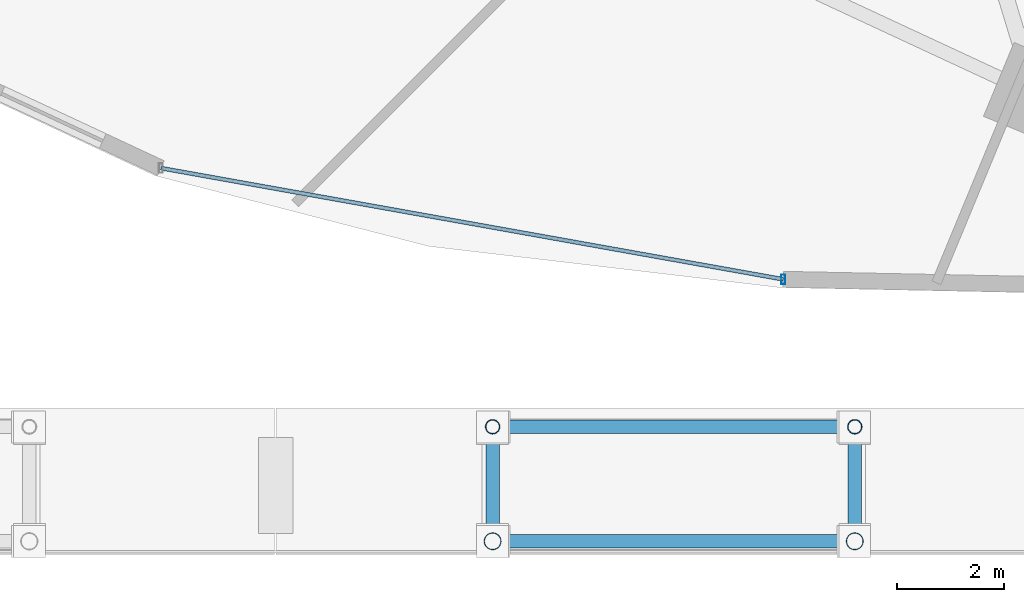
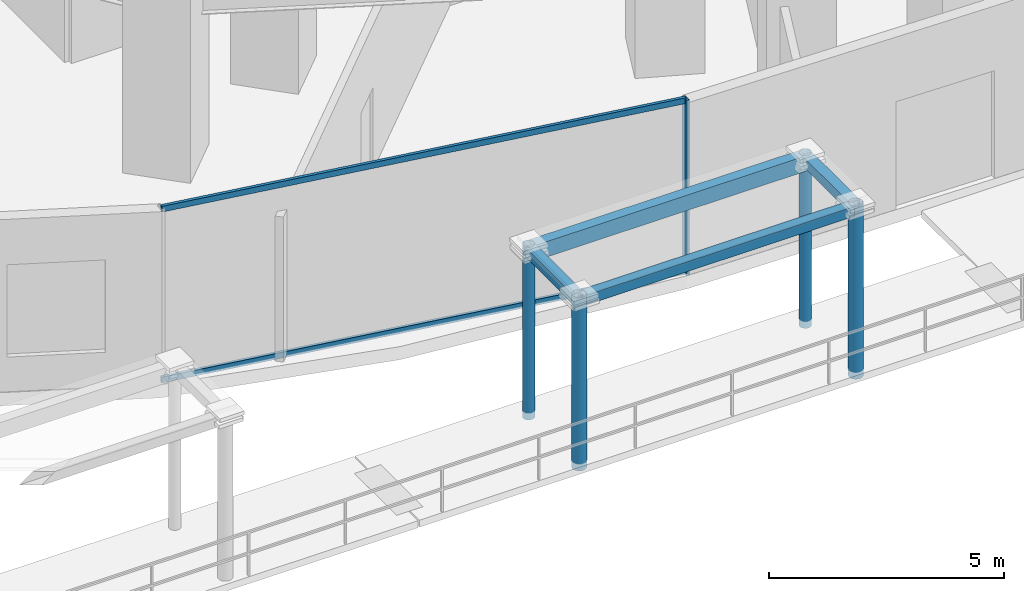
# One storey, part 4 of 36: 11 members, 1 element without a shape of its own.
"""IFC4 building model written with IfcOpenShell, lengths in metres."""

from ifc_helpers import new_model, si_unit, direction, frame, origin, origin_2d, place, context, subcontext, project, spatial, hollow_rectangle, hollow_circle, extrude, material, material_profile, profile_set, type_object, element, aggregate, save


model = new_model("IFC4")

# Units and contexts
model_context = context("Model", 3, precision=1e-05, world=origin(), true_north=direction((0.0, 1.0)))
body_context = subcontext(model_context, "Body", "Model", "MODEL_VIEW")
ifc_project = project(units=[si_unit("LENGTHUNIT", "METRE"), si_unit("AREAUNIT", "SQUARE_METRE"), si_unit("VOLUMEUNIT", "CUBIC_METRE"), si_unit("PLANEANGLEUNIT", "RADIAN"), si_unit("MASSUNIT", "GRAM", prefix="KILO")], contexts=[model_context])

# Site, building, storey
site_placement = place(None, origin())
site = spatial("IfcSite", under=ifc_project, at=site_placement, CompositionType="ELEMENT")
building_placement = place(site_placement, origin())
building = spatial("IfcBuilding", under=site, at=building_placement, Name="Vorneva Point Tower", CompositionType="ELEMENT")
storey_placement = place(building_placement, origin())
storey = spatial("IfcBuildingStorey", under=building, at=storey_placement, Name="L00", CompositionType="ELEMENT", Elevation=0.0)

# Curtain wall, members
ifc_material_1 = material(Name="Pale anodised aluminium", Category="aluminium")
curtain_wall_type = type_object("IfcCurtainWallType", Name="CW-POD-SYS", PredefinedType="NOTDEFINED", material=ifc_material_1)
curtain_wall_placement = place(storey_placement, origin())
curtain_wall = element("IfcCurtainWall", 1, at=curtain_wall_placement, inside=storey, type_object=curtain_wall_type, Name="L00 Unitised Curtain Wall CW-L00-R06", PredefinedType="NOTDEFINED")
ifc_material_profile_1 = material_profile(ifc_material_1, hollow_rectangle(XDim=0.074951171875, YDim=0.179931640625, WallThickness=0.00390625, at=origin_2d()), Name="AL-MUL 180x75x4")
ifc_profile_set_1 = profile_set([ifc_material_profile_1], Name="Pale anodised aluminium")
member_type_1 = type_object("IfcMemberType", Name="CW-MUL-180", PredefinedType="MULLION", material=ifc_profile_set_1)
member_1_placement = place(storey_placement, frame((25.5576171875, 2.968505859375, -0.0400390625), z_axis=(0.0, 0.0, 1.0), x_axis=(1.0, 0.0, 0.0)))
member_1 = element("IfcMember", 2, at=member_1_placement, type_object=member_type_1, Name="CW-L00-R06 Mullion 02", PredefinedType="MULLION", context=body_context, shape_type="SweptSolid", body=[
    extrude(hollow_rectangle(XDim=0.074951171875, YDim=0.179931640625, WallThickness=0.00390625, at=origin_2d()), origin(), (0.0, 0.0, 1.0), 4.550048828125),
])
ifc_material_profile_2 = material_profile(ifc_material_1, hollow_rectangle(XDim=0.074951171875, YDim=0.14990234375, WallThickness=0.00390625, at=origin_2d()), Name="AL-TRN 150x75x4")
ifc_profile_set_2 = profile_set([ifc_material_profile_2], Name="Pale anodised aluminium")
member_type_2 = type_object("IfcMemberType", Name="CW-TRN-150", PredefinedType="USERDEFINED", material=ifc_profile_set_2)
member_2_placement = place(storey_placement, frame((13.871826171875, 5.056396484375, 0.02001953125), z_axis=(0.984410919677, -0.175883885617, 0.0), x_axis=(0.175883885617, 0.984410919677, 0.0)))
member_2 = element("IfcMember", 3, at=member_2_placement, type_object=member_type_2, Name="CW-L00-R06 Transom 01.1", ObjectType="TRANSOM", PredefinedType="USERDEFINED", context=body_context, shape_type="SweptSolid", body=[
    extrude(hollow_rectangle(XDim=0.074951171875, YDim=0.14990234375, WallThickness=0.00390625, at=origin_2d()), origin(), (0.0, 0.0, 1.0), 11.870849609375),
])
member_3_placement = place(storey_placement, frame((13.871826171875, 5.056396484375, 4.4599609375), z_axis=(0.984410919677, -0.175883885617, 0.0), x_axis=(0.175883885617, 0.984410919677, 0.0)))
member_3 = element("IfcMember", 4, at=member_3_placement, type_object=member_type_2, Name="CW-L00-R06 Transom 01.2", ObjectType="TRANSOM", PredefinedType="USERDEFINED", context=body_context, shape_type="SweptSolid", body=[
    extrude(hollow_rectangle(XDim=0.074951171875, YDim=0.14990234375, WallThickness=0.00390625, at=origin_2d()), origin(), (0.0, 0.0, 1.0), 11.870849609375),
])
aggregate(curtain_wall, [member_1, member_2, member_3])

# Members
ifc_material_2 = material(Name="Steel S355", Category="steel")
ifc_material_profile_3 = material_profile(ifc_material_2, hollow_circle(Radius=0.136474609375, WallThickness=0.011962890625, at=origin_2d()), Name="CHS 273x12")
ifc_profile_set_3 = profile_set([ifc_material_profile_3], Name="Steel S355")
member_type_3 = type_object("IfcMemberType", Name="MBR-CAN-CHS273", PredefinedType="STRUT", material=ifc_profile_set_3)
for number, where, z_axis, x_axis, name in (
    (5, (26.89990234375, 0.199951171875, -0.179931640625), (0.0, 0.0, 1.0), (1.0, 0.0, 0.0), "Waterfront Promenade Canopy CAN-02 Post 3"),
    (6, (20.10009765625, 0.199951171875, -0.179931640625), (0.0, 0.0, 1.0), (1.0, 0.0, 0.0), "Waterfront Promenade Canopy CAN-02 Post 4"),
):
    element("IfcMember", number, at=place(storey_placement, frame(where, z_axis=z_axis, x_axis=x_axis)), inside=storey, type_object=member_type_3, Name=name, PredefinedType="STRUT", context=body_context, shape_type="SweptSolid", body=[
        extrude(hollow_circle(Radius=0.136474609375, WallThickness=0.011962890625, at=origin_2d()), origin(), (0.0, 0.0, 1.0), 4.489990234375),
    ])
ifc_material_profile_4 = material_profile(ifc_material_2, hollow_circle(Radius=0.16259765625, WallThickness=0.013916015625, at=origin_2d()), Name="CHS 325x14")
ifc_profile_set_4 = profile_set([ifc_material_profile_4], Name="Steel S355")
member_type_4 = type_object("IfcMemberType", Name="MBR-CAN-CHS325", PredefinedType="BRACE", material=ifc_profile_set_4)
for number, where, z_axis, x_axis, name in (
    (7, (20.10009765625, -1.949951171875, -0.179931640625), (0.0, 0.0, 1.0), (1.0, 0.0, 0.0), "Waterfront Promenade Canopy CAN-02 Post 1"),
    (8, (26.89990234375, -1.949951171875, -0.179931640625), (0.0, 0.0, 1.0), (1.0, 0.0, 0.0), "Waterfront Promenade Canopy CAN-02 Post 2"),
):
    element("IfcMember", number, at=place(storey_placement, frame(where, z_axis=z_axis, x_axis=x_axis)), inside=storey, type_object=member_type_4, Name=name, PredefinedType="BRACE", context=body_context, shape_type="SweptSolid", body=[
        extrude(hollow_circle(Radius=0.16259765625, WallThickness=0.013916015625, at=origin_2d()), origin(), (0.0, 0.0, 1.0), 4.489990234375),
    ])
ifc_material_profile_5 = material_profile(ifc_material_2, hollow_rectangle(XDim=0.25, YDim=0.25, WallThickness=0.011962890625, at=origin_2d()), Name="PK 250x250x12")
ifc_profile_set_5 = profile_set([ifc_material_profile_5], Name="Steel S355")
member_type_5 = type_object("IfcMemberType", Name="MBR-STR-PK250", PredefinedType="STRUT", material=ifc_profile_set_5)
member_4_placement = place(storey_placement, frame((20.159912109375, -1.949951171875, 4.179931640625), z_axis=(1.0, 0.0, 0.0), x_axis=(0.0, 1.0, 0.0)))
element("IfcMember", 9, at=member_4_placement, inside=storey, type_object=member_type_5, Name="Waterfront Promenade Canopy CAN-02 Tie 1", PredefinedType="STRUT", context=body_context, shape_type="SweptSolid", body=[
    extrude(hollow_rectangle(XDim=0.25, YDim=0.25, WallThickness=0.011962890625, at=origin_2d()), origin(), (0.0, 0.0, 1.0), 6.68017578125),
])
for number, where, z_axis, x_axis, name in (
    (10, (26.89990234375, -1.889892578125, 4.179931640625), (0.0, 1.0, 0.0), (-1.0, 0.0, 0.0), "Waterfront Promenade Canopy CAN-02 Tie 3"),
    (11, (20.10009765625, 0.139892578125, 4.179931640625), (0.0, -1.0, 0.0), (1.0, 0.0, 0.0), "Waterfront Promenade Canopy CAN-02 Tie 4"),
):
    element("IfcMember", number, at=place(storey_placement, frame(where, z_axis=z_axis, x_axis=x_axis)), inside=storey, type_object=member_type_5, Name=name, PredefinedType="STRUT", context=body_context, shape_type="SweptSolid", body=[
        extrude(hollow_rectangle(XDim=0.25, YDim=0.25, WallThickness=0.011962890625, at=origin_2d()), origin(), (0.0, 0.0, 1.0), 2.02978515625),
    ])
ifc_material_3 = material(Name="Steel S460", Category="steel")
ifc_material_profile_6 = material_profile(ifc_material_3, hollow_rectangle(XDim=0.25, YDim=0.39990234375, WallThickness=0.013916015625, at=origin_2d()), Name="PP 400x250x14")
ifc_profile_set_6 = profile_set([ifc_material_profile_6], Name="Steel S460")
member_type_6 = type_object("IfcMemberType", Name="MBR-STR-PP400", PredefinedType="STRUT", material=ifc_profile_set_6)
member_5_placement = place(storey_placement, frame((26.840087890625, 0.199951171875, 4.10498046875), z_axis=(-1.0, 0.0, 0.0), x_axis=(0.0, -1.0, 0.0)))
element("IfcMember", 12, at=member_5_placement, inside=storey, type_object=member_type_6, Name="Waterfront Promenade Canopy CAN-02 Tie 2", PredefinedType="STRUT", context=body_context, shape_type="SweptSolid", body=[
    extrude(hollow_rectangle(XDim=0.25, YDim=0.39990234375, WallThickness=0.013916015625, at=origin_2d()), origin(), (0.0, 0.0, 1.0), 6.68017578125),
])

save(model, "model.ifc")
